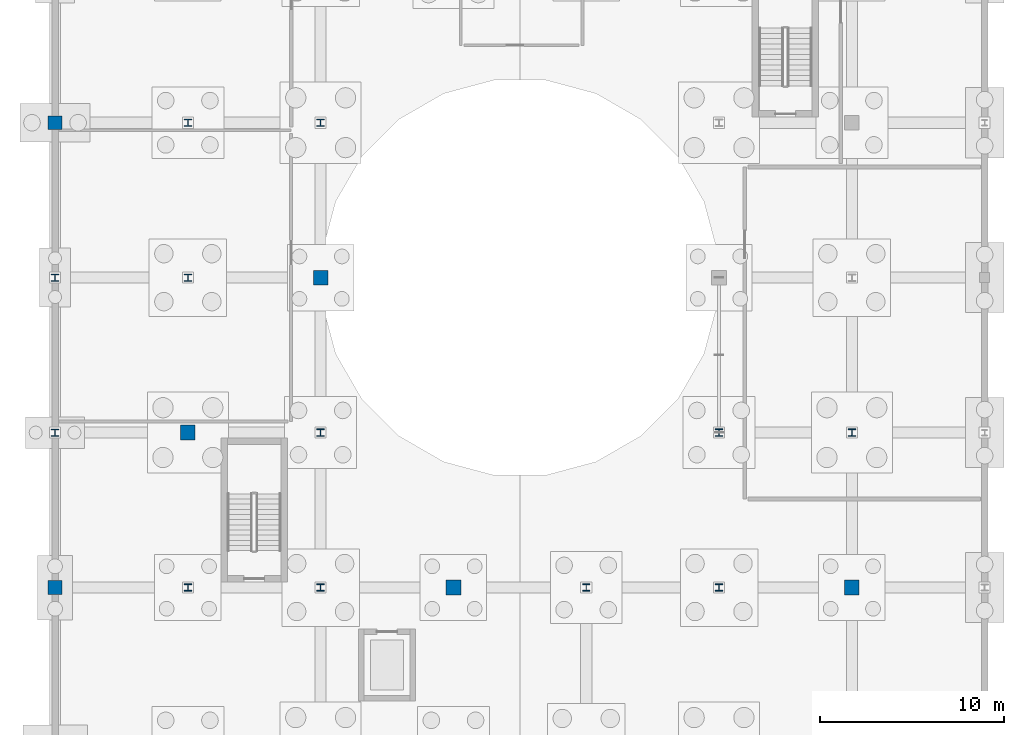
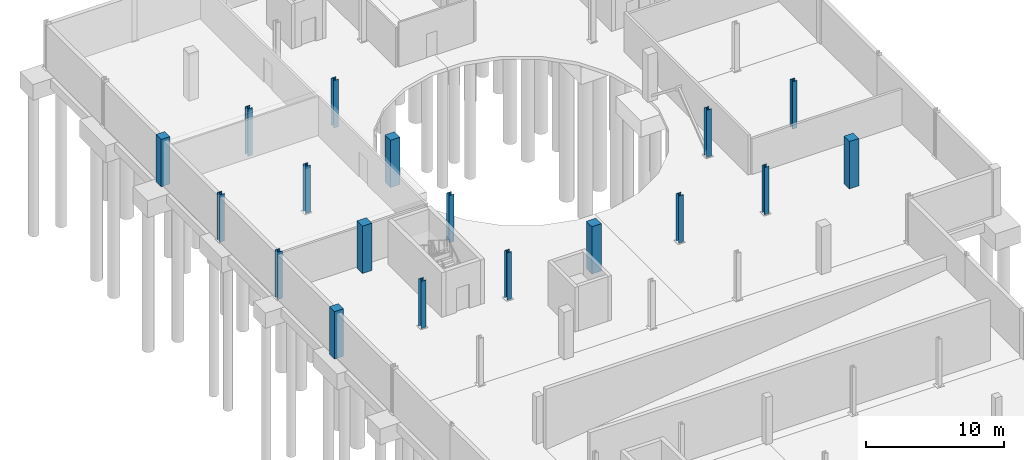
# One storey, part 11 of 32: 18 columns.
"""IFC4 building model written with IfcOpenShell, lengths in metres."""

from ifc_helpers import new_model, si_unit, direction, frame, origin, origin_2d, place, context, subcontext, project, spatial, rectangle, i_section, extrude, material, material_profile, profile_set, type_object, element, save


model = new_model("IFC4")

# Units and contexts
model_context = context("Model", 3, precision=1e-05, world=origin(), true_north=direction((0.0, 1.0)))
body_context = subcontext(model_context, "Body", "Model", "MODEL_VIEW")
ifc_project = project(units=[si_unit("LENGTHUNIT", "METRE"), si_unit("AREAUNIT", "SQUARE_METRE"), si_unit("VOLUMEUNIT", "CUBIC_METRE"), si_unit("PLANEANGLEUNIT", "RADIAN"), si_unit("MASSUNIT", "GRAM", prefix="KILO")], contexts=[model_context])

# Site, building, storey
site_placement = place(None, origin())
site = spatial("IfcSite", under=ifc_project, at=site_placement, CompositionType="ELEMENT")
building_placement = place(site_placement, origin())
building = spatial("IfcBuilding", under=site, at=building_placement, Name="Qelthora Terrace Specialist Clinic", CompositionType="ELEMENT")
storey_placement = place(building_placement, frame((0.0, 0.0, -4.199951171875)))
storey = spatial("IfcBuildingStorey", under=building, at=storey_placement, Name="B1", CompositionType="ELEMENT", Elevation=-4.199951171875)

# Columns
ifc_material_1 = material(Name="Concrete C40/50", Category="concrete")
ifc_material_profile_1 = material_profile(ifc_material_1, rectangle(XDim=0.75, YDim=0.75, at=origin_2d()), Name="RC750X750")
ifc_profile_set_1 = profile_set([ifc_material_profile_1], Name="Concrete C40/50")
column_type_1 = type_object("IfcColumnType", Name="COL-RC750", PredefinedType="COLUMN", material=ifc_profile_set_1)
for number, where, z_axis, x_axis, name in (
    (1, (0.0, 67.199951171875, 0.0), (0.0, 0.0, 1.0), (1.0, 0.0, 0.0), "Column B1-009"),
    (2, (0.0, 92.39990234375, 0.0), (0.0, 0.0, 1.0), (1.0, 0.0, 0.0), "Column B1-012"),
):
    element("IfcColumn", number, at=place(storey_placement, frame(where, z_axis=z_axis, x_axis=x_axis)), inside=storey, type_object=column_type_1, Name=name, PredefinedType="COLUMN", context=body_context, shape_type="SweptSolid", body=[
        extrude(rectangle(XDim=0.75, YDim=0.75, at=origin_2d()), origin(), (0.0, 0.0, 1.0), 4.199951171875),
    ])
ifc_material_profile_2 = material_profile(ifc_material_1, rectangle(XDim=0.800048828125, YDim=0.800048828125, at=origin_2d()), Name="RC800X800")
ifc_profile_set_2 = profile_set([ifc_material_profile_2], Name="Concrete C40/50")
column_type_2 = type_object("IfcColumnType", Name="COL-RC800", PredefinedType="COLUMN", material=ifc_profile_set_2)
for number, where, z_axis, x_axis, name in (
    (3, (7.199951171875, 75.60009765625, 0.0), (0.0, 0.0, 1.0), (1.0, 0.0, 0.0), "Column B1-024"),
    (4, (14.39990234375, 84.0, 0.0), (0.0, 0.0, 1.0), (1.0, 0.0, 0.0), "Column B1-039"),
    (5, (21.60009765625, 67.199951171875, 0.0), (0.0, 0.0, 1.0), (1.0, 0.0, 0.0), "Column B1-051"),
    (6, (43.199951171875, 67.199951171875, 0.0), (0.0, 0.0, 1.0), (1.0, 0.0, 0.0), "Column B1-087"),
):
    element("IfcColumn", number, at=place(storey_placement, frame(where, z_axis=z_axis, x_axis=x_axis)), inside=storey, type_object=column_type_2, Name=name, PredefinedType="COLUMN", context=body_context, shape_type="SweptSolid", body=[
        extrude(rectangle(XDim=0.800048828125, YDim=0.800048828125, at=origin_2d()), origin(), (0.0, 0.0, 1.0), 4.199951171875),
    ])
ifc_material_2 = material(Name="Steel S355", Category="steel")
ifc_material_profile_3 = material_profile(ifc_material_2, i_section(OverallWidth=0.39404296875, OverallDepth=0.375, WebThickness=0.017333984375, FlangeThickness=0.027587890625, FilletRadius=0.02001953125, at=origin_2d()), Name="W360X216")
ifc_profile_set_3 = profile_set([ifc_material_profile_3], Name="Steel S355")
column_type_3 = type_object("IfcColumnType", Name="COL-W360X216", PredefinedType="COLUMN", material=ifc_profile_set_3)
column_1_placement = place(storey_placement, frame((0.0, 84.0, 0.0), z_axis=(0.0, 0.0, 1.0), x_axis=(1.0, 0.0, 0.0)))
element("IfcColumn", 7, at=column_1_placement, inside=storey, type_object=column_type_3, Name="Column B1-011", PredefinedType="COLUMN", context=body_context, shape_type="SweptSolid", body=[
    extrude(i_section(OverallWidth=0.39404296875, OverallDepth=0.375, WebThickness=0.017333984375, FlangeThickness=0.027587890625, FilletRadius=0.02001953125, at=origin_2d()), origin(), (0.0, 0.0, 1.0), 4.199951171875),
])
ifc_material_profile_4 = material_profile(ifc_material_2, i_section(OverallWidth=0.39501953125, OverallDepth=0.3798828125, WebThickness=0.018798828125, FlangeThickness=0.0302734375, FilletRadius=0.02001953125, at=origin_2d()), Name="W360X237")
ifc_profile_set_4 = profile_set([ifc_material_profile_4], Name="Steel S355")
column_type_4 = type_object("IfcColumnType", Name="COL-W360X237", PredefinedType="COLUMN", material=ifc_profile_set_4)
column_2_placement = place(storey_placement, frame((0.0, 75.60009765625, 0.0), z_axis=(0.0, 0.0, 1.0), x_axis=(1.0, 0.0, 0.0)))
element("IfcColumn", 8, at=column_2_placement, inside=storey, type_object=column_type_4, Name="Column B1-010", PredefinedType="COLUMN", context=body_context, shape_type="SweptSolid", body=[
    extrude(i_section(OverallWidth=0.39501953125, OverallDepth=0.3798828125, WebThickness=0.018798828125, FlangeThickness=0.0302734375, FilletRadius=0.02001953125, at=origin_2d()), origin(), (0.0, 0.0, 1.0), 4.199951171875),
])
ifc_material_profile_5 = material_profile(ifc_material_2, i_section(OverallWidth=0.39794921875, OverallDepth=0.386962890625, WebThickness=0.02099609375, FlangeThickness=0.033203125, FilletRadius=0.02001953125, at=origin_2d()), Name="W360X262")
ifc_profile_set_5 = profile_set([ifc_material_profile_5], Name="Steel S355")
column_type_5 = type_object("IfcColumnType", Name="COL-W360X262", PredefinedType="COLUMN", material=ifc_profile_set_5)
for number, where, z_axis, x_axis, name in (
    (9, (7.199951171875, 67.199951171875, 0.0), (0.0, 0.0, 1.0), (1.0, 0.0, 0.0), "Column B1-023"),
    (10, (7.199951171875, 84.0, 0.0), (0.0, 0.0, 1.0), (1.0, 0.0, 0.0), "Column B1-025"),
    (11, (14.39990234375, 67.199951171875, 0.0), (0.0, 0.0, 1.0), (1.0, 0.0, 0.0), "Column B1-037"),
    (12, (36.0, 67.199951171875, 0.0), (0.0, 0.0, 1.0), (1.0, 0.0, 0.0), "Column B1-073"),
):
    element("IfcColumn", number, at=place(storey_placement, frame(where, z_axis=z_axis, x_axis=x_axis)), inside=storey, type_object=column_type_5, Name=name, PredefinedType="COLUMN", context=body_context, shape_type="SweptSolid", body=[
        extrude(i_section(OverallWidth=0.39794921875, OverallDepth=0.386962890625, WebThickness=0.02099609375, FlangeThickness=0.033203125, FilletRadius=0.02001953125, at=origin_2d()), origin(), (0.0, 0.0, 1.0), 4.199951171875),
    ])
ifc_material_profile_6 = material_profile(ifc_material_2, i_section(OverallWidth=0.39892578125, OverallDepth=0.39306640625, WebThickness=0.022705078125, FlangeThickness=0.035888671875, FilletRadius=0.02001953125, at=origin_2d()), Name="W360X287")
ifc_profile_set_6 = profile_set([ifc_material_profile_6], Name="Steel S355")
column_type_6 = type_object("IfcColumnType", Name="COL-W360X287", PredefinedType="COLUMN", material=ifc_profile_set_6)
for number, where, z_axis, x_axis, name in (
    (13, (7.199951171875, 92.39990234375, 0.0), (0.0, 0.0, 1.0), (1.0, 0.0, 0.0), "Column B1-026"),
    (14, (14.39990234375, 75.60009765625, 0.0), (0.0, 0.0, 1.0), (1.0, 0.0, 0.0), "Column B1-038"),
    (15, (14.39990234375, 92.39990234375, 0.0), (0.0, 0.0, 1.0), (1.0, 0.0, 0.0), "Column B1-040"),
    (16, (28.800048828125, 67.199951171875, 0.0), (0.0, 0.0, 1.0), (1.0, 0.0, 0.0), "Column B1-062"),
    (17, (36.0, 75.60009765625, 0.0), (0.0, 0.0, 1.0), (1.0, 0.0, 0.0), "Column B1-074"),
    (18, (43.199951171875, 75.60009765625, 0.0), (0.0, 0.0, 1.0), (1.0, 0.0, 0.0), "Column B1-088"),
):
    element("IfcColumn", number, at=place(storey_placement, frame(where, z_axis=z_axis, x_axis=x_axis)), inside=storey, type_object=column_type_6, Name=name, PredefinedType="COLUMN", context=body_context, shape_type="SweptSolid", body=[
        extrude(i_section(OverallWidth=0.39892578125, OverallDepth=0.39306640625, WebThickness=0.022705078125, FlangeThickness=0.035888671875, FilletRadius=0.02001953125, at=origin_2d()), origin(), (0.0, 0.0, 1.0), 4.199951171875),
    ])

save(model, "model.ifc")
